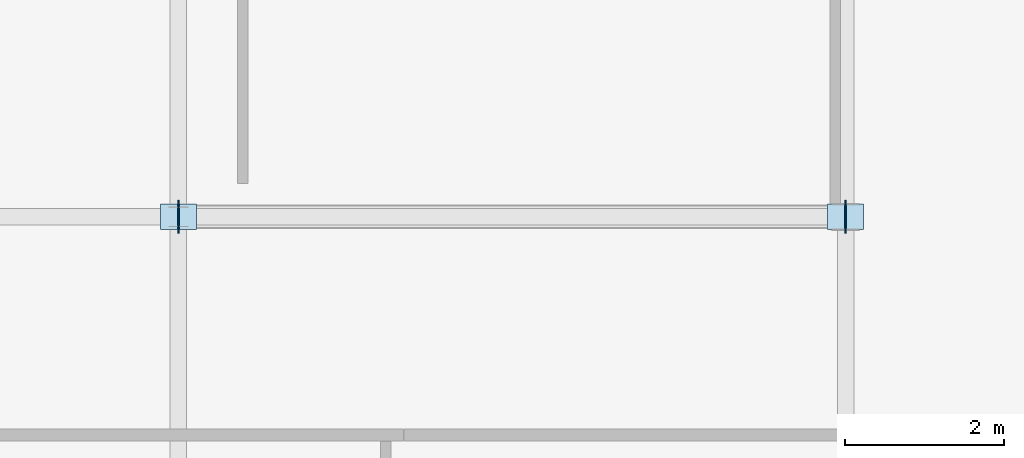
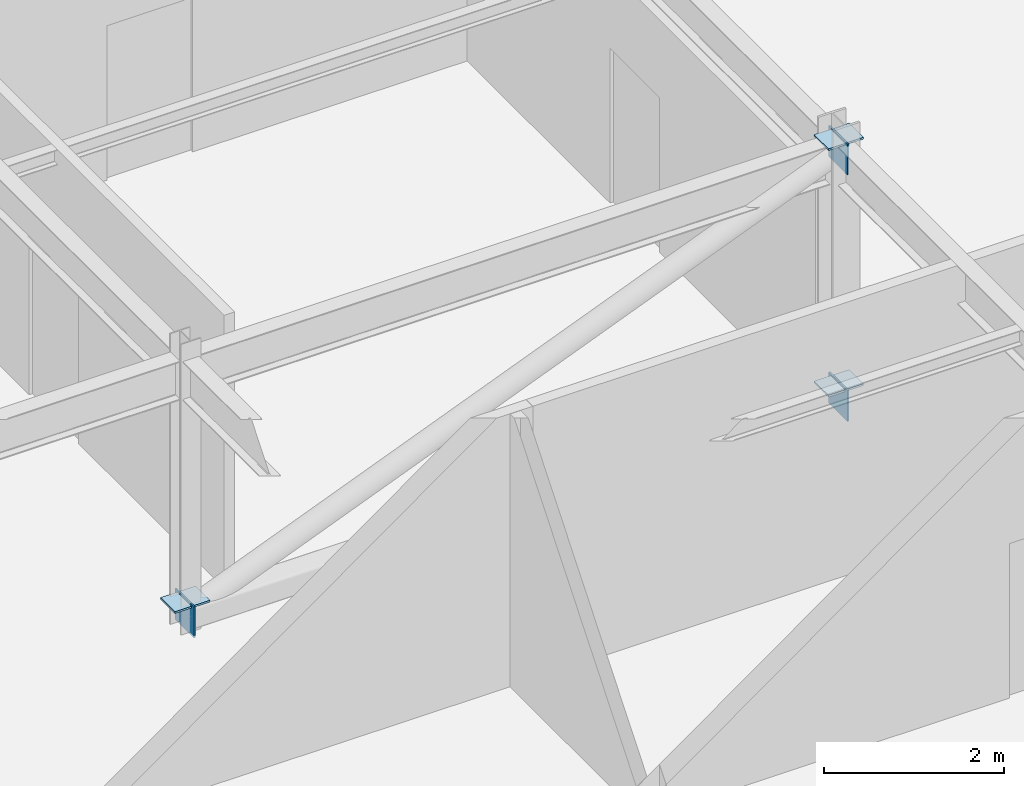
# One storey, part 10 of 17: 6 plates.
"""IFC4 building model written with IfcOpenShell, lengths in metres."""

from ifc_helpers import new_model, si_unit, direction, frame, origin, origin_2d, place, context, subcontext, project, spatial, rectangle, extrude, material, layer, layer_set, type_object, element, save


model = new_model("IFC4")

# Units and contexts
model_context = context("Model", 3, precision=1e-05, world=origin(), true_north=direction((0.0, 1.0)))
body_context = subcontext(model_context, "Body", "Model", "MODEL_VIEW")
ifc_project = project(units=[si_unit("LENGTHUNIT", "METRE"), si_unit("AREAUNIT", "SQUARE_METRE"), si_unit("VOLUMEUNIT", "CUBIC_METRE"), si_unit("PLANEANGLEUNIT", "RADIAN"), si_unit("MASSUNIT", "GRAM", prefix="KILO")], contexts=[model_context])

# Site, building, storey
site_placement = place(None, origin())
site = spatial("IfcSite", under=ifc_project, at=site_placement, CompositionType="ELEMENT")
building_placement = place(site_placement, origin())
building = spatial("IfcBuilding", under=site, at=building_placement, Name="Varnakote Quay Hospital", CompositionType="ELEMENT")
storey_placement = place(building_placement, frame((0.0, 0.0, 256.550048828125)))
storey = spatial("IfcBuildingStorey", under=building, at=storey_placement, Name="L63", CompositionType="ELEMENT", Elevation=256.550048828125)

# Plates
ifc_material_1 = material(Name="Structural steel AS/NZS 3678 Grade 350 (fy 340 MPa)", Category="steel")
ifc_layer_1 = layer(ifc_material_1, 0.02001953125)
ifc_layer_set_1 = layer_set([ifc_layer_1], Name="Structural steel AS/NZS 3678 Grade 350 (fy 340 MPa)")
plate_type_1 = type_object("IfcPlateType", Name="PLT-ENDCAP-420x420x20", PredefinedType="USERDEFINED", material=ifc_layer_set_1)
for number, where, z_axis, x_axis, name in (
    (1, (25.199951171875, 20.39990234375, -0.030029296875), (0.0, 0.0, 1.0), (1.0, 0.0, 0.0), "L63 Hollow Section Sealed End Cap Plate"),
    (2, (33.60009765625, 20.39990234375, -0.030029296875), (0.0, 0.0, 1.0), (1.0, 0.0, 0.0), "L63 Hollow Section Sealed End Cap Plate"),
    (3, (33.60009765625, 20.39990234375, 3.320068359375), (0.0, 0.0, 1.0), (1.0, 0.0, 0.0), "L63 Hollow Section Sealed End Cap Plate"),
):
    element("IfcPlate", number, at=place(storey_placement, frame(where, z_axis=z_axis, x_axis=x_axis)), inside=storey, type_object=plate_type_1, Name=name, ObjectType="END_CAP_PLATE", PredefinedType="USERDEFINED", context=body_context, shape_type="SweptSolid", body=[
        extrude(rectangle(XDim=0.02001953125, YDim=0.419921875, at=origin_2d()), origin(), (0.0, 0.0, 1.0), 0.419921875),
    ])
ifc_material_2 = material(Name="Structural steel AS/NZS 3678 Grade 350 (fy 340 MPa)", Category="steel")
ifc_layer_2 = layer(ifc_material_2, 0.02490234375)
ifc_layer_set_2 = layer_set([ifc_layer_2], Name="Structural steel AS/NZS 3678 Grade 350 (fy 340 MPa)")
plate_type_2 = type_object("IfcPlateType", Name="PLT-GUSSET-450x320x25", PredefinedType="USERDEFINED", material=ifc_layer_set_2)
for number, where, z_axis, x_axis, name in (
    (4, (25.199951171875, 20.39990234375, 0.347412109375), (0.0, 0.0, 1.0), (1.0, 0.0, 0.0), "L63 Truss Concentric Node Gusset Plate"),
    (5, (33.60009765625, 20.39990234375, 0.347412109375), (0.0, 0.0, 1.0), (1.0, 0.0, 0.0), "L63 Truss Concentric Node Gusset Plate"),
    (6, (33.60009765625, 20.39990234375, 3.697509765625), (0.0, 0.0, 1.0), (1.0, 0.0, 0.0), "L63 Truss Concentric Node Gusset Plate"),
):
    element("IfcPlate", number, at=place(storey_placement, frame(where, z_axis=z_axis, x_axis=x_axis)), inside=storey, type_object=plate_type_2, Name=name, ObjectType="GUSSET_PLATE", PredefinedType="USERDEFINED", context=body_context, shape_type="SweptSolid", body=[
        extrude(rectangle(XDim=0.449951171875, YDim=0.320068359375, at=origin_2d()), origin(), (0.0, 0.0, 1.0), 0.02490234375),
    ])

save(model, "model.ifc")
